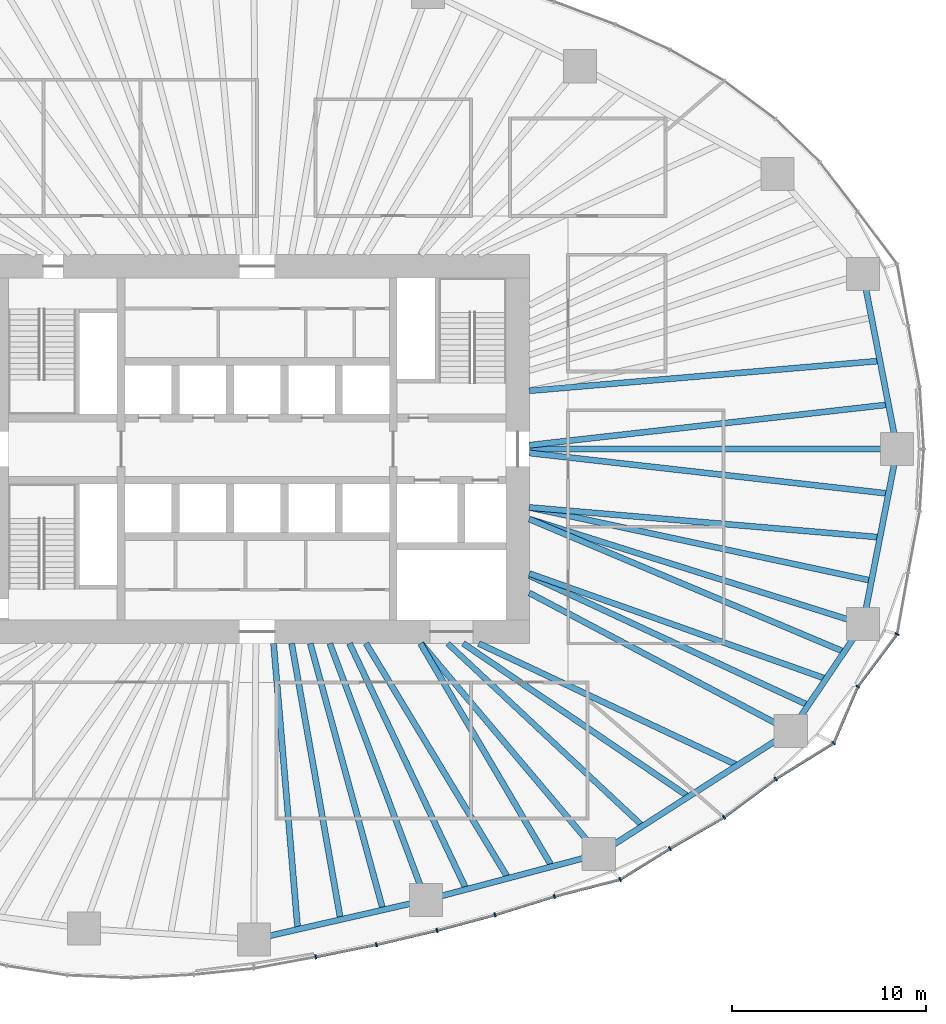
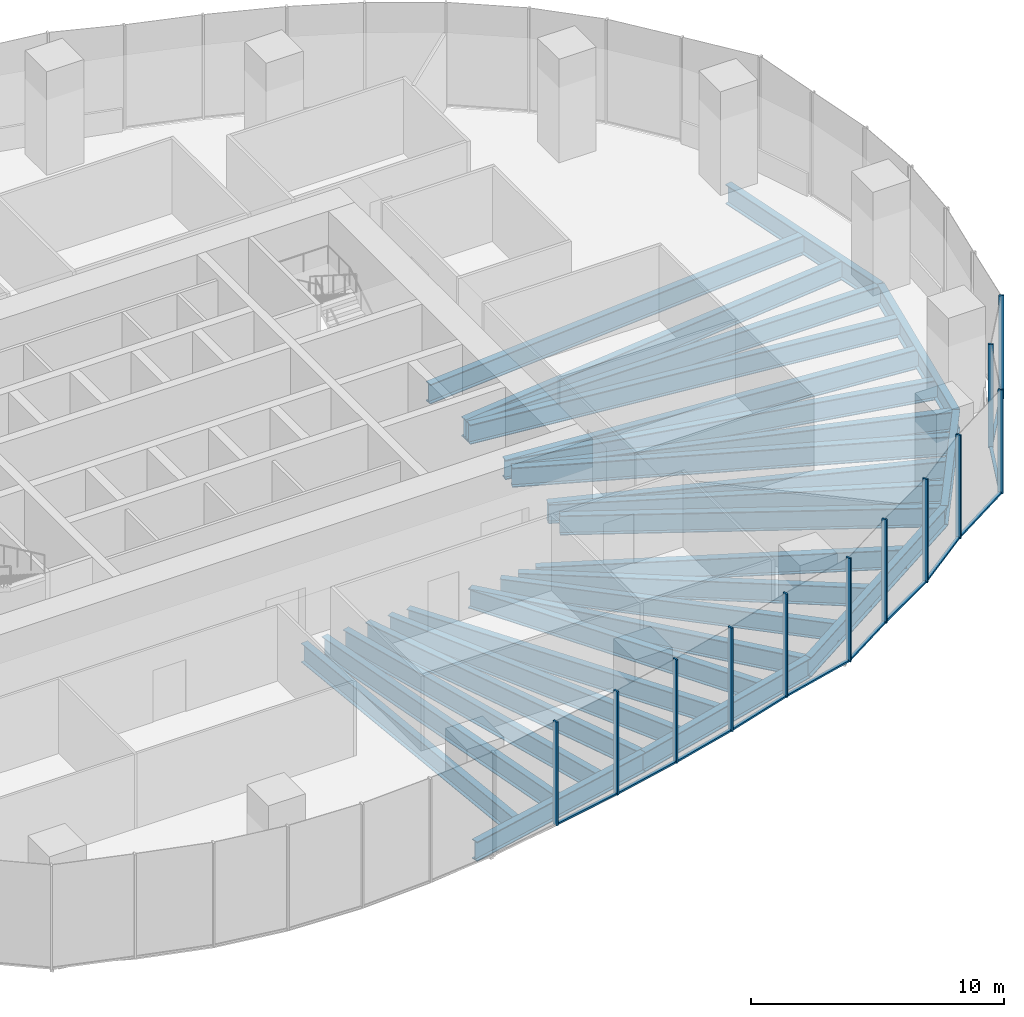
# One storey, part 4 of 20: 28 beams, 23 members, 5 elements without a shape of their own.
"""IFC4 building model written with IfcOpenShell, lengths in metres."""

from ifc_helpers import new_model, si_unit, direction, frame, origin, origin_2d, place, context, subcontext, project, spatial, rectangle, i_section, extrude, material, material_profile, profile_set, type_object, element, aggregate, save


model = new_model("IFC4")

# Units and contexts
model_context = context("Model", 3, precision=1e-05, world=origin(), true_north=direction((0.0, 1.0)))
body_context = subcontext(model_context, "Body", "Model", "MODEL_VIEW")
ifc_project = project(units=[si_unit("LENGTHUNIT", "METRE"), si_unit("AREAUNIT", "SQUARE_METRE"), si_unit("VOLUMEUNIT", "CUBIC_METRE"), si_unit("PLANEANGLEUNIT", "RADIAN"), si_unit("MASSUNIT", "GRAM", prefix="KILO")], contexts=[model_context])

# Site, building, storey
site_placement = place(None, origin())
site = spatial("IfcSite", under=ifc_project, at=site_placement, CompositionType="ELEMENT")
building_placement = place(site_placement, origin())
building = spatial("IfcBuilding", under=site, at=building_placement, Name="Ghaith Harvest Tower", CompositionType="ELEMENT")
storey_placement = place(building_placement, frame((0.0, 0.0, 80.0)))
storey = spatial("IfcBuildingStorey", under=building, at=storey_placement, Name="L16", CompositionType="ELEMENT", Elevation=80.0)

# Curtain wall, members
ifc_material_1 = material(Name="Black anodised aluminium and fritted glass", Category="aluminium")
curtain_wall_type = type_object("IfcCurtainWallType", Name="CW-F CURTAIN WALL", PredefinedType="NOTDEFINED", material=ifc_material_1)
curtain_wall_1_placement = place(storey_placement, origin())
curtain_wall_1 = element("IfcCurtainWall", 1, at=curtain_wall_1_placement, inside=storey, type_object=curtain_wall_type, Name="Curtain wall CW-F bay 16 L16", PredefinedType="NOTDEFINED")
ifc_material_2 = material(Name="Aluminium, black anodised", Category="aluminium")
ifc_material_profile_1 = material_profile(ifc_material_2, rectangle(XDim=0.080078125, YDim=0.219970703125, at=origin_2d()), Name="CW-F MULLION 80x220")
ifc_profile_set_1 = profile_set([ifc_material_profile_1], Name="Aluminium, black anodised")
member_type_1 = type_object("IfcMemberType", Name="CW-F MULLION 80x220", PredefinedType="MULLION", material=ifc_profile_set_1)
member_1_placement = place(storey_placement, frame((3.00927734375, -26.123291015625, 0.0), z_axis=(0.0, 0.0, 1.0), x_axis=(0.981818445714, 0.189822389762, 0.0)))
member_1 = element("IfcMember", 2, at=member_1_placement, type_object=member_type_1, Name="CW-F mullion 2 bay 16 L16", PredefinedType="MULLION", context=body_context, shape_type="SweptSolid", body=[
    extrude(rectangle(XDim=0.080078125, YDim=0.219970703125, at=origin_2d()), origin(), (0.0, 0.0, 1.0), 5.0),
])
member_2_placement = place(storey_placement, frame((6.136962890625, -25.495361328125, 0.0), z_axis=(0.0, 0.0, 1.0), x_axis=(0.977117973572, 0.212698062336, 0.0)))
member_2 = element("IfcMember", 3, at=member_2_placement, type_object=member_type_1, Name="CW-F mullion 3 bay 16 L16", PredefinedType="MULLION", context=body_context, shape_type="SweptSolid", body=[
    extrude(rectangle(XDim=0.080078125, YDim=0.219970703125, at=origin_2d()), origin(), (0.0, 0.0, 1.0), 5.0),
])

curtain_wall_2_placement = place(storey_placement, origin())
curtain_wall_2 = element("IfcCurtainWall", 4, at=curtain_wall_2_placement, inside=storey, type_object=curtain_wall_type, Name="Curtain wall CW-F bay 17 L16", PredefinedType="NOTDEFINED")
member_3_placement = place(storey_placement, frame((9.25732421875, -24.76318359375, 0.0), z_axis=(0.0, 0.0, 1.0), x_axis=(0.969903429248, 0.24348991341, 0.0)))
member_3 = element("IfcMember", 5, at=member_3_placement, type_object=member_type_1, Name="CW-F mullion 1 bay 17 L16", PredefinedType="MULLION", context=body_context, shape_type="SweptSolid", body=[
    extrude(rectangle(XDim=0.080078125, YDim=0.219970703125, at=origin_2d()), origin(), (0.0, 0.0, 1.0), 5.0),
])
member_4_placement = place(storey_placement, frame((12.234375, -23.964599609375, 0.0), z_axis=(0.0, 0.0, 1.0), x_axis=(0.960502189734, 0.278272426799, 0.0)))
member_4 = element("IfcMember", 6, at=member_4_placement, type_object=member_type_1, Name="CW-F mullion 2 bay 17 L16", PredefinedType="MULLION", context=body_context, shape_type="SweptSolid", body=[
    extrude(rectangle(XDim=0.080078125, YDim=0.219970703125, at=origin_2d()), origin(), (0.0, 0.0, 1.0), 5.0),
])
member_5_placement = place(storey_placement, frame((15.28759765625, -23.01611328125, 0.0), z_axis=(0.0, 0.0, 1.0), x_axis=(0.962313144018, 0.27194376781, 0.0)))
member_5 = element("IfcMember", 7, at=member_5_placement, type_object=member_type_1, Name="CW-F mullion 3 bay 17 L16", PredefinedType="MULLION", context=body_context, shape_type="SweptSolid", body=[
    extrude(rectangle(XDim=0.080078125, YDim=0.219970703125, at=origin_2d()), origin(), (0.0, 0.0, 1.0), 5.0),
])

curtain_wall_3_placement = place(storey_placement, origin())
curtain_wall_3 = element("IfcCurtainWall", 8, at=curtain_wall_3_placement, inside=storey, type_object=curtain_wall_type, Name="Curtain wall CW-F bay 18 L16", PredefinedType="NOTDEFINED")
member_6_placement = place(storey_placement, frame((18.674072265625, -22.144775390625, 0.0), z_axis=(0.0, 0.0, 1.0), x_axis=(0.923910199299, 0.382609387799, 0.0)))
member_6 = element("IfcMember", 9, at=member_6_placement, type_object=member_type_1, Name="CW-F mullion 1 bay 18 L16", PredefinedType="MULLION", context=body_context, shape_type="SweptSolid", body=[
    extrude(rectangle(XDim=0.080078125, YDim=0.219970703125, at=origin_2d()), origin(), (0.0, 0.0, 1.0), 5.0),
])
member_7_placement = place(storey_placement, frame((21.2353515625, -20.552978515625, 0.0), z_axis=(0.0, 0.0, 1.0), x_axis=(0.858140414942, 0.513415064293, 0.0)))
member_7 = element("IfcMember", 10, at=member_7_placement, type_object=member_type_1, Name="CW-F mullion 2 bay 18 L16", PredefinedType="MULLION", context=body_context, shape_type="SweptSolid", body=[
    extrude(rectangle(XDim=0.080078125, YDim=0.219970703125, at=origin_2d()), origin(), (0.0, 0.0, 1.0), 5.0),
])
member_8_placement = place(storey_placement, frame((24.018310546875, -18.947265625, 0.0), z_axis=(0.0, 0.0, 1.0), x_axis=(0.835443516838, 0.549576318788, 0.0)))
member_8 = element("IfcMember", 11, at=member_8_placement, type_object=member_type_1, Name="CW-F mullion 3 bay 18 L16", PredefinedType="MULLION", context=body_context, shape_type="SweptSolid", body=[
    extrude(rectangle(XDim=0.080078125, YDim=0.219970703125, at=origin_2d()), origin(), (0.0, 0.0, 1.0), 5.0),
])

curtain_wall_4_placement = place(storey_placement, origin())
curtain_wall_4 = element("IfcCurtainWall", 12, at=curtain_wall_4_placement, inside=storey, type_object=curtain_wall_type, Name="Curtain wall CW-F bay 19 L16", PredefinedType="NOTDEFINED")
member_9_placement = place(storey_placement, frame((26.673828125, -16.9755859375, 0.0), z_axis=(0.0, 0.0, 1.0), x_axis=(0.828002038115, 0.560725088504, 0.0)))
member_9 = element("IfcMember", 13, at=member_9_placement, type_object=member_type_1, Name="CW-F mullion 1 bay 19 L16", PredefinedType="MULLION", context=body_context, shape_type="SweptSolid", body=[
    extrude(rectangle(XDim=0.080078125, YDim=0.219970703125, at=origin_2d()), origin(), (0.0, 0.0, 1.0), 5.0),
])
member_10_placement = place(storey_placement, frame((29.659912109375, -15.126953125, 0.0), z_axis=(0.0, 0.0, 1.0), x_axis=(0.663604797505, 0.748083332743, 0.0)))
member_10 = element("IfcMember", 14, at=member_10_placement, type_object=member_type_1, Name="CW-F mullion 2 bay 19 L16", PredefinedType="MULLION", context=body_context, shape_type="SweptSolid", body=[
    extrude(rectangle(XDim=0.080078125, YDim=0.219970703125, at=origin_2d()), origin(), (0.0, 0.0, 1.0), 5.0),
])
member_11_placement = place(storey_placement, frame((30.896728515625, -12.215087890625, 0.0), z_axis=(0.0, 0.0, 1.0), x_axis=(0.5027946428, 0.864405892606, 0.0)))
member_11 = element("IfcMember", 15, at=member_11_placement, type_object=member_type_1, Name="CW-F mullion 3 bay 19 L16", PredefinedType="MULLION", context=body_context, shape_type="SweptSolid", body=[
    extrude(rectangle(XDim=0.080078125, YDim=0.219970703125, at=origin_2d()), origin(), (0.0, 0.0, 1.0), 5.0),
])

# Curtain wall, member
curtain_wall_5_placement = place(storey_placement, origin())
curtain_wall_5 = element("IfcCurtainWall", 16, at=curtain_wall_5_placement, inside=storey, type_object=curtain_wall_type, Name="Curtain wall CW-F bay 20 L16", PredefinedType="NOTDEFINED")
member_12_placement = place(storey_placement, frame((32.923583984375, -9.515625, 0.0), z_axis=(0.0, 0.0, 1.0), x_axis=(0.404701694001, 0.914448762301, 0.0)))
member_12 = element("IfcMember", 17, at=member_12_placement, type_object=member_type_1, Name="CW-F mullion 1 bay 20 L16", PredefinedType="MULLION", context=body_context, shape_type="SweptSolid", body=[
    extrude(rectangle(XDim=0.080078125, YDim=0.219970703125, at=origin_2d()), origin(), (0.0, 0.0, 1.0), 5.0),
])
aggregate(curtain_wall_5, [member_12])

# Member
ifc_material_3 = material(Name="Aluminium, black anodised", Category="aluminium")
ifc_material_profile_2 = material_profile(ifc_material_3, rectangle(XDim=0.139892578125, YDim=0.080078125, at=origin_2d()), Name="CW-F TRANSOM 140x80")
ifc_profile_set_2 = profile_set([ifc_material_profile_2], Name="Aluminium, black anodised")
member_type_2 = type_object("IfcMemberType", Name="CW-F TRANSOM 140x80", PredefinedType="USERDEFINED", material=ifc_profile_set_2)
member_13_placement = place(storey_placement, frame((3.04833984375, -26.115478515625, 0.0400390625), z_axis=(0.980432471193, 0.196855707129, 0.0), x_axis=(-0.196855707129, 0.980432471193, 0.0)))
member_13 = element("IfcMember", 18, at=member_13_placement, type_object=member_type_2, Name="CW-F transom 2 bay 16 L16", ObjectType="TRANSOM", PredefinedType="USERDEFINED", context=body_context, shape_type="SweptSolid", body=[
    extrude(rectangle(XDim=0.139892578125, YDim=0.080078125, at=origin_2d()), origin(), (0.0, 0.0, 1.0), 3.1103515625),
])

member_14_placement = place(storey_placement, frame((6.176025390625, -25.486083984375, 0.0400390625), z_axis=(0.973560415159, 0.228429678537, 0.0), x_axis=(-0.228429678537, 0.973560415159, 0.0)))
member_14 = element("IfcMember", 19, at=member_14_placement, type_object=member_type_2, Name="CW-F transom 3 bay 16 L16", ObjectType="TRANSOM", PredefinedType="USERDEFINED", context=body_context, shape_type="SweptSolid", body=[
    extrude(rectangle(XDim=0.139892578125, YDim=0.080078125, at=origin_2d()), origin(), (0.0, 0.0, 1.0), 3.125),
])

aggregate(curtain_wall_1, [member_1, member_13, member_2, member_14])

member_15_placement = place(storey_placement, frame((9.2958984375, -24.7529296875, 0.0400390625), z_axis=(0.965832908495, 0.259165570377, 0.0), x_axis=(-0.259165570377, 0.965832908495, 0.0)))
member_15 = element("IfcMember", 20, at=member_15_placement, type_object=member_type_2, Name="CW-F transom 1 bay 17 L16", ObjectType="TRANSOM", PredefinedType="USERDEFINED", context=body_context, shape_type="SweptSolid", body=[
    extrude(rectangle(XDim=0.139892578125, YDim=0.080078125, at=origin_2d()), origin(), (0.0, 0.0, 1.0), 3.002197265625),
])

member_16_placement = place(storey_placement, frame((12.2724609375, -23.95263671875, 0.0400390625), z_axis=(0.954998362353, 0.296611071781, 0.0), x_axis=(-0.296611071781, 0.954998362353, 0.0)))
member_16 = element("IfcMember", 21, at=member_16_placement, type_object=member_type_2, Name="CW-F transom 2 bay 17 L16", ObjectType="TRANSOM", PredefinedType="USERDEFINED", context=body_context, shape_type="SweptSolid", body=[
    extrude(rectangle(XDim=0.139892578125, YDim=0.080078125, at=origin_2d()), origin(), (0.0, 0.0, 1.0), 3.1171875),
])

member_17_placement = place(storey_placement, frame((15.326171875, -23.006103515625, 0.0400390625), z_axis=(0.968463874592, 0.249154015841, 0.0), x_axis=(-0.249154015841, 0.968463874592, 0.0)))
member_17 = element("IfcMember", 22, at=member_17_placement, type_object=member_type_2, Name="CW-F transom 3 bay 17 L16", ObjectType="TRANSOM", PredefinedType="USERDEFINED", context=body_context, shape_type="SweptSolid", body=[
    extrude(rectangle(XDim=0.139892578125, YDim=0.080078125, at=origin_2d()), origin(), (0.0, 0.0, 1.0), 3.416748046875),
])

aggregate(curtain_wall_2, [member_3, member_15, member_4, member_16, member_5, member_17])

member_18_placement = place(storey_placement, frame((18.7080078125, -22.12353515625, 0.0400390625), z_axis=(0.849383069026, 0.527776848726, 0.0), x_axis=(-0.527776848726, 0.849383069026, 0.0)))
member_18 = element("IfcMember", 23, at=member_18_placement, type_object=member_type_2, Name="CW-F transom 1 bay 18 L16", ObjectType="TRANSOM", PredefinedType="USERDEFINED", context=body_context, shape_type="SweptSolid", body=[
    extrude(rectangle(XDim=0.139892578125, YDim=0.080078125, at=origin_2d()), origin(), (0.0, 0.0, 1.0), 2.935546875),
])

member_19_placement = place(storey_placement, frame((21.27001953125, -20.532958984375, 0.0400390625), z_axis=(0.866168719914, 0.499751686983, 0.0), x_axis=(-0.499751686983, 0.866168719914, 0.0)))
member_19 = element("IfcMember", 24, at=member_19_placement, type_object=member_type_2, Name="CW-F transom 2 bay 18 L16", ObjectType="TRANSOM", PredefinedType="USERDEFINED", context=body_context, shape_type="SweptSolid", body=[
    extrude(rectangle(XDim=0.139892578125, YDim=0.080078125, at=origin_2d()), origin(), (0.0, 0.0, 1.0), 3.1328125),
])

member_20_placement = place(storey_placement, frame((24.050537109375, -18.92333984375, 0.0400390625), z_axis=(0.802877287823, 0.596144328748, 0.0), x_axis=(-0.596144328748, 0.802877287823, 0.0)))
member_20 = element("IfcMember", 25, at=member_20_placement, type_object=member_type_2, Name="CW-F transom 3 bay 18 L16", ObjectType="TRANSOM", PredefinedType="USERDEFINED", context=body_context, shape_type="SweptSolid", body=[
    extrude(rectangle(XDim=0.139892578125, YDim=0.080078125, at=origin_2d()), origin(), (0.0, 0.0, 1.0), 3.2275390625),
])

aggregate(curtain_wall_3, [member_6, member_18, member_7, member_19, member_8, member_20])

member_21_placement = place(storey_placement, frame((26.707763671875, -16.954345703125, 0.0400390625), z_axis=(0.850260598386, 0.526361961802, 0.0), x_axis=(-0.526361961802, 0.850260598386, 0.0)))
member_21 = element("IfcMember", 26, at=member_21_placement, type_object=member_type_2, Name="CW-F transom 1 bay 19 L16", ObjectType="TRANSOM", PredefinedType="USERDEFINED", context=body_context, shape_type="SweptSolid", body=[
    extrude(rectangle(XDim=0.139892578125, YDim=0.080078125, at=origin_2d()), origin(), (0.0, 0.0, 1.0), 3.431884765625),
])

member_22_placement = place(storey_placement, frame((29.675537109375, -15.090087890625, 0.0400390625), z_axis=(0.390936107494, 0.92041781809, 0.0), x_axis=(-0.92041781809, 0.390936107494, 0.0)))
member_22 = element("IfcMember", 27, at=member_22_placement, type_object=member_type_2, Name="CW-F transom 2 bay 19 L16", ObjectType="TRANSOM", PredefinedType="USERDEFINED", context=body_context, shape_type="SweptSolid", body=[
    extrude(rectangle(XDim=0.139892578125, YDim=0.080078125, at=origin_2d()), origin(), (0.0, 0.0, 1.0), 3.083740234375),
])

member_23_placement = place(storey_placement, frame((30.920654296875, -12.18310546875, 0.0400390625), z_axis=(0.600462135687, 0.799653189581, 0.0), x_axis=(-0.799653189581, 0.600462135687, 0.0)))
member_23 = element("IfcMember", 28, at=member_23_placement, type_object=member_type_2, Name="CW-F transom 3 bay 19 L16", ObjectType="TRANSOM", PredefinedType="USERDEFINED", context=body_context, shape_type="SweptSolid", body=[
    extrude(rectangle(XDim=0.139892578125, YDim=0.080078125, at=origin_2d()), origin(), (0.0, 0.0, 1.0), 3.2958984375),
])

aggregate(curtain_wall_4, [member_9, member_21, member_10, member_22, member_11, member_23])

# Beams
ifc_material_4 = material(Name="Steel ASTM A992 Grade 50", Category="steel")
ifc_material_profile_3 = material_profile(ifc_material_4, i_section(OverallWidth=0.306884765625, OverallDepth=0.94189453125, WebThickness=0.022216796875, FlangeThickness=0.039794921875, at=origin_2d()), Name="W920X345")
ifc_profile_set_3 = profile_set([ifc_material_profile_3], Name="Steel ASTM A992 Grade 50")
beam_type_1 = type_object("IfcBeamType", Name="E920-345 W920X345", PredefinedType="SPANDREL", material=ifc_profile_set_3)
beam_1_placement = place(storey_placement, frame((32.925048828125, 0.0, -0.6708984375), z_axis=(-0.191653479461, 0.981462655332, 0.0), x_axis=(-0.981462655332, -0.191653479461, 0.0)))
element("IfcBeam", 29, at=beam_1_placement, inside=storey, type_object=beam_type_1, Name="Edge beam E01 L16", PredefinedType="SPANDREL", context=body_context, shape_type="SweptSolid", body=[
    extrude(i_section(OverallWidth=0.306884765625, OverallDepth=0.94189453125, WebThickness=0.022216796875, FlangeThickness=0.039794921875, at=origin_2d()), origin(), (0.0, 0.0, 1.0), 9.17822265625),
])
beam_2_placement = place(storey_placement, frame((-0.173095703125, -25.22412109375, -0.6708984375), z_axis=(0.974881709383, 0.22272326486, 0.0), x_axis=(-0.22272326486, 0.974881709383, 0.0)))
element("IfcBeam", 30, at=beam_2_placement, inside=storey, type_object=beam_type_1, Name="Edge beam E16 L16", PredefinedType="SPANDREL", context=body_context, shape_type="SweptSolid", body=[
    extrude(i_section(OverallWidth=0.306884765625, OverallDepth=0.94189453125, WebThickness=0.022216796875, FlangeThickness=0.039794921875, at=origin_2d()), origin(), (0.0, 0.0, 1.0), 9.0751953125),
])
beam_3_placement = place(storey_placement, frame((8.674072265625, -23.202880859375, -0.6708984375), z_axis=(0.966419097109, 0.256971065963, 0.0), x_axis=(-0.256971065963, 0.966419097109, 0.0)))
element("IfcBeam", 31, at=beam_3_placement, inside=storey, type_object=beam_type_1, Name="Edge beam E17 L16", PredefinedType="SPANDREL", context=body_context, shape_type="SweptSolid", body=[
    extrude(i_section(OverallWidth=0.306884765625, OverallDepth=0.94189453125, WebThickness=0.022216796875, FlangeThickness=0.039794921875, at=origin_2d()), origin(), (0.0, 0.0, 1.0), 9.20703125),
])
beam_4_placement = place(storey_placement, frame((17.572021484375, -20.8369140625, -0.6708984375), z_axis=(0.842014649705, 0.539454659524, 0.0), x_axis=(-0.539454659524, 0.842014649705, 0.0)))
element("IfcBeam", 32, at=beam_4_placement, inside=storey, type_object=beam_type_1, Name="Edge beam E18 L16", PredefinedType="SPANDREL", context=body_context, shape_type="SweptSolid", body=[
    extrude(i_section(OverallWidth=0.306884765625, OverallDepth=0.94189453125, WebThickness=0.022216796875, FlangeThickness=0.039794921875, at=origin_2d()), origin(), (0.0, 0.0, 1.0), 11.730224609375),
])
beam_5_placement = place(storey_placement, frame((27.448974609375, -14.509033203125, -0.6708984375), z_axis=(0.559874470017, 0.828577442261, 0.0), x_axis=(-0.828577442261, 0.559874470017, 0.0)))
element("IfcBeam", 33, at=beam_5_placement, inside=storey, type_object=beam_type_1, Name="Edge beam E19 L16", PredefinedType="SPANDREL", context=body_context, shape_type="SweptSolid", body=[
    extrude(i_section(OverallWidth=0.306884765625, OverallDepth=0.94189453125, WebThickness=0.022216796875, FlangeThickness=0.039794921875, at=origin_2d()), origin(), (0.0, 0.0, 1.0), 6.63916015625),
])
beam_6_placement = place(storey_placement, frame((31.166015625, -9.008056640625, -0.6708984375), z_axis=(0.191653479461, 0.981462655332, 0.0), x_axis=(-0.981462655332, 0.191653479461, 0.0)))
element("IfcBeam", 34, at=beam_6_placement, inside=storey, type_object=beam_type_1, Name="Edge beam E20 L16", PredefinedType="SPANDREL", context=body_context, shape_type="SweptSolid", body=[
    extrude(i_section(OverallWidth=0.306884765625, OverallDepth=0.94189453125, WebThickness=0.022216796875, FlangeThickness=0.039794921875, at=origin_2d()), origin(), (0.0, 0.0, 1.0), 9.17822265625),
])
ifc_material_5 = material(Name="Steel ASTM A992 Grade 50", Category="steel")
ifc_material_profile_4 = material_profile(ifc_material_5, i_section(OverallWidth=0.306884765625, OverallDepth=0.94189453125, WebThickness=0.022216796875, FlangeThickness=0.039794921875, at=origin_2d()), Name="W920X345")
ifc_profile_set_4 = profile_set([ifc_material_profile_4], Name="Steel ASTM A992 Grade 50")
beam_type_2 = type_object("IfcBeamType", Name="G920-345 W920X345", PredefinedType="BEAM", material=ifc_profile_set_4)
beam_7_placement = place(storey_placement, frame((14.0, 0.0, -0.6708984375), z_axis=(1.0, 0.0, 0.0), x_axis=(0.0, 1.0, 0.0)))
element("IfcBeam", 35, at=beam_7_placement, inside=storey, type_object=beam_type_2, Name="Radial girder G01 L16", PredefinedType="BEAM", context=body_context, shape_type="SweptSolid", body=[
    extrude(i_section(OverallWidth=0.306884765625, OverallDepth=0.94189453125, WebThickness=0.022216796875, FlangeThickness=0.039794921875, at=origin_2d()), origin(), (0.0, 0.0, 1.0), 18.925048828125),
])
beam_8_placement = place(storey_placement, frame((3.73828125, -10.0, -0.6708984375), z_axis=(0.350172283717, -0.936685310932, 0.0), x_axis=(0.936685310932, 0.350172283717, 0.0)))
element("IfcBeam", 36, at=beam_8_placement, inside=storey, type_object=beam_type_2, Name="Radial girder G17 L16", PredefinedType="BEAM", context=body_context, shape_type="SweptSolid", body=[
    extrude(i_section(OverallWidth=0.306884765625, OverallDepth=0.94189453125, WebThickness=0.022216796875, FlangeThickness=0.039794921875, at=origin_2d()), origin(), (0.0, 0.0, 1.0), 14.09521484375),
])
beam_9_placement = place(storey_placement, frame((8.4326171875, -10.0, -0.6708984375), z_axis=(0.644696130938, -0.764438943771, 0.0), x_axis=(0.764438943771, 0.644696130938, 0.0)))
element("IfcBeam", 37, at=beam_9_placement, inside=storey, type_object=beam_type_2, Name="Radial girder G18 L16", PredefinedType="BEAM", context=body_context, shape_type="SweptSolid", body=[
    extrude(i_section(OverallWidth=0.306884765625, OverallDepth=0.94189453125, WebThickness=0.022216796875, FlangeThickness=0.039794921875, at=origin_2d()), origin(), (0.0, 0.0, 1.0), 14.17626953125),
])
beam_10_placement = place(storey_placement, frame((14.0, -7.39990234375, -0.6708984375), z_axis=(0.884084425997, -0.467327216959, 0.0), x_axis=(0.467327216959, 0.884084425997, 0.0)))
element("IfcBeam", 38, at=beam_10_placement, inside=storey, type_object=beam_type_2, Name="Radial girder G19 L16", PredefinedType="BEAM", context=body_context, shape_type="SweptSolid", body=[
    extrude(i_section(OverallWidth=0.306884765625, OverallDepth=0.94189453125, WebThickness=0.022216796875, FlangeThickness=0.039794921875, at=origin_2d()), origin(), (0.0, 0.0, 1.0), 15.21240234375),
])
beam_11_placement = place(storey_placement, frame((14.0, -3.60009765625, -0.6708984375), z_axis=(0.953788071692, -0.300480139607, 0.0), x_axis=(0.300480139607, 0.953788071692, 0.0)))
element("IfcBeam", 39, at=beam_11_placement, inside=storey, type_object=beam_type_2, Name="Radial girder G20 L16", PredefinedType="BEAM", context=body_context, shape_type="SweptSolid", body=[
    extrude(i_section(OverallWidth=0.306884765625, OverallDepth=0.94189453125, WebThickness=0.022216796875, FlangeThickness=0.039794921875, at=origin_2d()), origin(), (0.0, 0.0, 1.0), 17.997802734375),
])
ifc_material_6 = material(Name="Steel ASTM A992 Grade 50", Category="steel")
ifc_material_profile_5 = material_profile(ifc_material_6, i_section(OverallWidth=0.2939453125, OverallDepth=0.85107421875, WebThickness=0.01611328125, FlangeThickness=0.02685546875, at=origin_2d()), Name="W840X226")
ifc_profile_set_5 = profile_set([ifc_material_profile_5], Name="Steel ASTM A992 Grade 50")
beam_type_3 = type_object("IfcBeamType", Name="J840-226 W840X226", PredefinedType="JOIST", material=ifc_profile_set_5)
beam_12_placement = place(storey_placement, frame((9.800048828125, -10.0, -0.62548828125), z_axis=(0.72994990542, -0.683500647825, 0.0), x_axis=(0.683500647825, 0.72994990542, 0.0)))
element("IfcBeam", 40, at=beam_12_placement, inside=storey, type_object=beam_type_3, Name="Joist J18.1 L16", PredefinedType="JOIST", context=body_context, shape_type="SweptSolid", body=[
    extrude(i_section(OverallWidth=0.2939453125, OverallDepth=0.85107421875, WebThickness=0.01611328125, FlangeThickness=0.02685546875, at=origin_2d()), origin(), (0.0, 0.0, 1.0), 13.7392578125),
])
ifc_material_7 = material(Name="Steel ASTM A992 Grade 50", Category="steel")
ifc_material_profile_6 = material_profile(ifc_material_7, i_section(OverallWidth=0.31005859375, OverallDepth=0.927001953125, WebThickness=0.019287109375, FlangeThickness=0.031982421875, at=origin_2d()), Name="W920X289")
ifc_profile_set_6 = profile_set([ifc_material_profile_6], Name="Steel ASTM A992 Grade 50")
beam_type_4 = type_object("IfcBeamType", Name="J920-289 W920X289", PredefinedType="JOIST", material=ifc_profile_set_6)
beam_13_placement = place(storey_placement, frame((0.844970703125, -10.0, -0.66357421875), z_axis=(0.084208979751, -0.996448115924, 0.0), x_axis=(0.996448115924, 0.084208979751, 0.0)))
element("IfcBeam", 41, at=beam_13_placement, inside=storey, type_object=beam_type_4, Name="Joist J16.1 L16", PredefinedType="JOIST", context=body_context, shape_type="SweptSolid", body=[
    extrude(i_section(OverallWidth=0.31005859375, OverallDepth=0.927001953125, WebThickness=0.019287109375, FlangeThickness=0.031982421875, at=origin_2d()), origin(), (0.0, 0.0, 1.0), 14.760009765625),
])
beam_14_placement = place(storey_placement, frame((1.772705078125, -10.0, -0.66357421875), z_axis=(0.174552818486, -0.98464781194, 0.0), x_axis=(0.98464781194, 0.174552818486, 0.0)))
element("IfcBeam", 42, at=beam_14_placement, inside=storey, type_object=beam_type_4, Name="Joist J16.2 L16", PredefinedType="JOIST", context=body_context, shape_type="SweptSolid", body=[
    extrude(i_section(OverallWidth=0.31005859375, OverallDepth=0.927001953125, WebThickness=0.019287109375, FlangeThickness=0.031982421875, at=origin_2d()), origin(), (0.0, 0.0, 1.0), 14.42578125),
])
beam_15_placement = place(storey_placement, frame((2.73095703125, -10.0, -0.66357421875), z_axis=(0.263463446032, -0.964669379946, 0.0), x_axis=(0.964669379946, 0.263463446032, 0.0)))
element("IfcBeam", 43, at=beam_15_placement, inside=storey, type_object=beam_type_4, Name="Joist J16.3 L16", PredefinedType="JOIST", context=body_context, shape_type="SweptSolid", body=[
    extrude(i_section(OverallWidth=0.31005859375, OverallDepth=0.927001953125, WebThickness=0.019287109375, FlangeThickness=0.031982421875, at=origin_2d()), origin(), (0.0, 0.0, 1.0), 14.20751953125),
])
beam_16_placement = place(storey_placement, frame((4.75, -10.0, -0.66357421875), z_axis=(0.429067127754, -0.903272605519, 0.0), x_axis=(0.903272605519, 0.429067127754, 0.0)))
element("IfcBeam", 44, at=beam_16_placement, inside=storey, type_object=beam_type_4, Name="Joist J17.1 L16", PredefinedType="JOIST", context=body_context, shape_type="SweptSolid", body=[
    extrude(i_section(OverallWidth=0.31005859375, OverallDepth=0.927001953125, WebThickness=0.019287109375, FlangeThickness=0.031982421875, at=origin_2d()), origin(), (0.0, 0.0, 1.0), 14.003173828125),
])
beam_17_placement = place(storey_placement, frame((5.60009765625, -10.0, -0.66357421875), z_axis=(0.517828660199, -0.855484353262, 0.0), x_axis=(0.855484353262, 0.517828660199, 0.0)))
element("IfcBeam", 45, at=beam_17_placement, inside=storey, type_object=beam_type_4, Name="Joist J17.2 L16", PredefinedType="JOIST", context=body_context, shape_type="SweptSolid", body=[
    extrude(i_section(OverallWidth=0.31005859375, OverallDepth=0.927001953125, WebThickness=0.019287109375, FlangeThickness=0.031982421875, at=origin_2d()), origin(), (0.0, 0.0, 1.0), 14.11669921875),
])
beam_18_placement = place(storey_placement, frame((8.39990234375, -10.0, -0.66357421875), z_axis=(0.507894375661, -0.861419353841, 0.0), x_axis=(0.861419353841, 0.507894375661, 0.0)))
element("IfcBeam", 46, at=beam_18_placement, inside=storey, type_object=beam_type_4, Name="Joist J17.3 L16", PredefinedType="JOIST", context=body_context, shape_type="SweptSolid", body=[
    extrude(i_section(OverallWidth=0.31005859375, OverallDepth=0.927001953125, WebThickness=0.019287109375, FlangeThickness=0.031982421875, at=origin_2d()), origin(), (0.0, 0.0, 1.0), 13.32275390625),
])
beam_19_placement = place(storey_placement, frame((10.60009765625, -10.0, -0.66357421875), z_axis=(0.826982555637, -0.562227580853, 0.0), x_axis=(0.562227580853, 0.826982555637, 0.0)))
element("IfcBeam", 47, at=beam_19_placement, inside=storey, type_object=beam_type_4, Name="Joist J18.2 L16", PredefinedType="JOIST", context=body_context, shape_type="SweptSolid", body=[
    extrude(i_section(OverallWidth=0.31005859375, OverallDepth=0.927001953125, WebThickness=0.019287109375, FlangeThickness=0.031982421875, at=origin_2d()), origin(), (0.0, 0.0, 1.0), 14.013671875),
])
beam_20_placement = place(storey_placement, frame((11.39990234375, -10.0, -0.66357421875), z_axis=(0.904709580205, -0.426028843489, 0.0), x_axis=(0.426028843489, 0.904709580205, 0.0)))
element("IfcBeam", 48, at=beam_20_placement, inside=storey, type_object=beam_type_4, Name="Joist J18.3 L16", PredefinedType="JOIST", context=body_context, shape_type="SweptSolid", body=[
    extrude(i_section(OverallWidth=0.31005859375, OverallDepth=0.927001953125, WebThickness=0.019287109375, FlangeThickness=0.031982421875, at=origin_2d()), origin(), (0.0, 0.0, 1.0), 14.708251953125),
])
beam_21_placement = place(storey_placement, frame((14.0, -6.506103515625, -0.66357421875), z_axis=(0.906865804441, -0.421419521067, 0.0), x_axis=(0.421419521067, 0.906865804441, 0.0)))
element("IfcBeam", 49, at=beam_21_placement, inside=storey, type_object=beam_type_4, Name="Joist J19.1 L16", PredefinedType="JOIST", context=body_context, shape_type="SweptSolid", body=[
    extrude(i_section(OverallWidth=0.31005859375, OverallDepth=0.927001953125, WebThickness=0.019287109375, FlangeThickness=0.031982421875, at=origin_2d()), origin(), (0.0, 0.0, 1.0), 15.824462890625),
])
ifc_material_8 = material(Name="Steel ASTM A992 Grade 50", Category="steel")
ifc_material_profile_7 = material_profile(ifc_material_8, i_section(OverallWidth=0.306884765625, OverallDepth=0.94189453125, WebThickness=0.022216796875, FlangeThickness=0.039794921875, at=origin_2d()), Name="W920X345")
ifc_profile_set_7 = profile_set([ifc_material_profile_7], Name="Steel ASTM A992 Grade 50")
beam_type_5 = type_object("IfcBeamType", Name="J920-345 W920X345", PredefinedType="JOIST", material=ifc_profile_set_7)
beam_22_placement = place(storey_placement, frame((14.0, 0.199951171875, -0.6708984375), z_axis=(0.993675458798, 0.112290171352, 0.0), x_axis=(-0.112290171352, 0.993675458798, 0.0)))
element("IfcBeam", 50, at=beam_22_placement, inside=storey, type_object=beam_type_5, Name="Joist J01.1 L16", PredefinedType="JOIST", context=body_context, shape_type="SweptSolid", body=[
    extrude(i_section(OverallWidth=0.306884765625, OverallDepth=0.94189453125, WebThickness=0.022216796875, FlangeThickness=0.039794921875, at=origin_2d()), origin(), (0.0, 0.0, 1.0), 18.595947265625),
])
beam_23_placement = place(storey_placement, frame((14.0, 3.0, -0.6708984375), z_axis=(0.996389274474, 0.084902377546, 0.0), x_axis=(-0.084902377546, 0.996389274474, 0.0)))
element("IfcBeam", 51, at=beam_23_placement, inside=storey, type_object=beam_type_5, Name="Joist J01.2 L16", PredefinedType="JOIST", context=body_context, shape_type="SweptSolid", body=[
    extrude(i_section(OverallWidth=0.306884765625, OverallDepth=0.94189453125, WebThickness=0.022216796875, FlangeThickness=0.039794921875, at=origin_2d()), origin(), (0.0, 0.0, 1.0), 18.1044921875),
])
beam_24_placement = place(storey_placement, frame((14.0, -6.39990234375, -0.6708984375), z_axis=(0.942399857711, -0.334488427581, 0.0), x_axis=(0.334488427581, 0.942399857711, 0.0)))
element("IfcBeam", 52, at=beam_24_placement, inside=storey, type_object=beam_type_5, Name="Joist J19.2 L16", PredefinedType="JOIST", context=body_context, shape_type="SweptSolid", body=[
    extrude(i_section(OverallWidth=0.306884765625, OverallDepth=0.94189453125, WebThickness=0.022216796875, FlangeThickness=0.039794921875, at=origin_2d()), origin(), (0.0, 0.0, 1.0), 16.199951171875),
])
beam_25_placement = place(storey_placement, frame((14.0, -3.60009765625, -0.6708984375), z_axis=(0.921432978784, -0.388537341333, 0.0), x_axis=(0.388537341333, 0.921432978784, 0.0)))
element("IfcBeam", 53, at=beam_25_placement, inside=storey, type_object=beam_type_5, Name="Joist J19.3 L16", PredefinedType="JOIST", context=body_context, shape_type="SweptSolid", body=[
    extrude(i_section(OverallWidth=0.306884765625, OverallDepth=0.94189453125, WebThickness=0.022216796875, FlangeThickness=0.039794921875, at=origin_2d()), origin(), (0.0, 0.0, 1.0), 17.585205078125),
])
beam_26_placement = place(storey_placement, frame((14.0, -3.0, -0.6708984375), z_axis=(0.977831380626, -0.209393865869, 0.0), x_axis=(0.209393865869, 0.977831380626, 0.0)))
element("IfcBeam", 54, at=beam_26_placement, inside=storey, type_object=beam_type_5, Name="Joist J20.1 L16", PredefinedType="JOIST", context=body_context, shape_type="SweptSolid", body=[
    extrude(i_section(OverallWidth=0.306884765625, OverallDepth=0.94189453125, WebThickness=0.022216796875, FlangeThickness=0.039794921875, at=origin_2d()), origin(), (0.0, 0.0, 1.0), 18.002197265625),
])
beam_27_placement = place(storey_placement, frame((14.0, -3.0, -0.6708984375), z_axis=(0.996389274474, -0.084902377546, 0.0), x_axis=(0.084902377546, 0.996389274474, 0.0)))
element("IfcBeam", 55, at=beam_27_placement, inside=storey, type_object=beam_type_5, Name="Joist J20.2 L16", PredefinedType="JOIST", context=body_context, shape_type="SweptSolid", body=[
    extrude(i_section(OverallWidth=0.306884765625, OverallDepth=0.94189453125, WebThickness=0.022216796875, FlangeThickness=0.039794921875, at=origin_2d()), origin(), (0.0, 0.0, 1.0), 18.1044921875),
])
beam_28_placement = place(storey_placement, frame((14.0, -0.199951171875, -0.6708984375), z_axis=(0.993675458798, -0.112290171352, 0.0), x_axis=(0.112290171352, 0.993675458798, 0.0)))
element("IfcBeam", 56, at=beam_28_placement, inside=storey, type_object=beam_type_5, Name="Joist J20.3 L16", PredefinedType="JOIST", context=body_context, shape_type="SweptSolid", body=[
    extrude(i_section(OverallWidth=0.306884765625, OverallDepth=0.94189453125, WebThickness=0.022216796875, FlangeThickness=0.039794921875, at=origin_2d()), origin(), (0.0, 0.0, 1.0), 18.595947265625),
])

save(model, "model.ifc")
